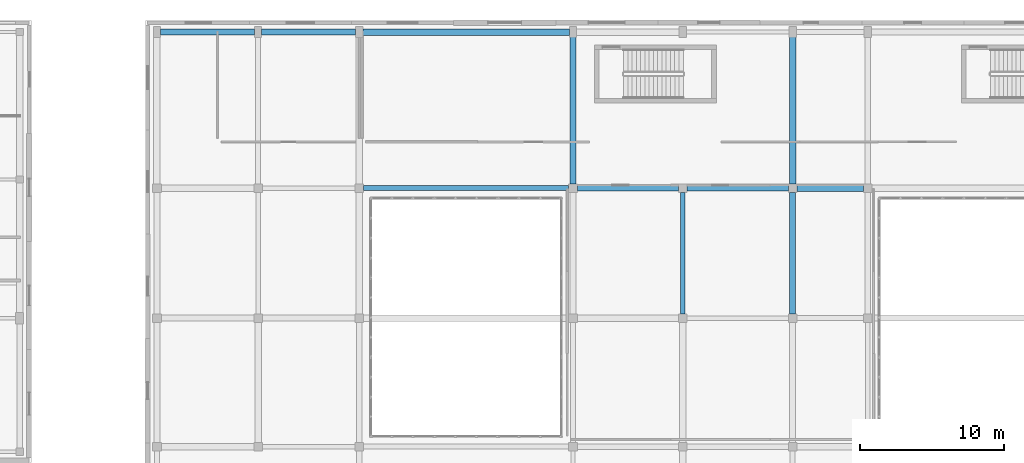
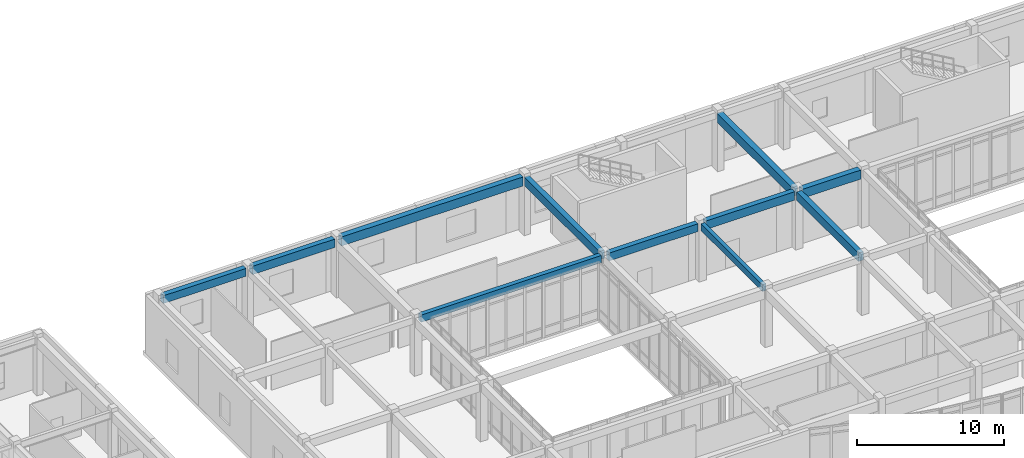
# One storey, part 69 of 121: 11 beams.
"""IFC4 building model written with IfcOpenShell, lengths in metres."""

from ifc_helpers import new_model, si_unit, direction, frame, origin, origin_2d, place, context, subcontext, project, spatial, rectangle, extrude, material, material_profile, profile_set, type_object, element, save


model = new_model("IFC4")

# Units and contexts
model_context = context("Model", 3, precision=1e-05, world=origin(), true_north=direction((0.0, 1.0)))
body_context = subcontext(model_context, "Body", "Model", "MODEL_VIEW")
ifc_project = project(units=[si_unit("LENGTHUNIT", "METRE"), si_unit("AREAUNIT", "SQUARE_METRE"), si_unit("VOLUMEUNIT", "CUBIC_METRE"), si_unit("PLANEANGLEUNIT", "RADIAN"), si_unit("MASSUNIT", "GRAM", prefix="KILO")], contexts=[model_context])

# Site, building, storey
site_placement = place(None, origin())
site = spatial("IfcSite", under=ifc_project, at=site_placement, CompositionType="ELEMENT")
building_placement = place(site_placement, origin())
building = spatial("IfcBuilding", under=site, at=building_placement, Name="Valcora Specialist Clinic", CompositionType="ELEMENT")
storey_placement = place(building_placement, origin())
storey = spatial("IfcBuildingStorey", under=building, at=storey_placement, Name="L00", CompositionType="ELEMENT", Elevation=0.0)

# Beams
ifc_material = material(Name="Concrete C40/50", Category="concrete")
ifc_material_profile_1 = material_profile(ifc_material, rectangle(XDim=0.300048828125, YDim=0.550048828125, at=origin_2d()), Name="RC-BM-300X550")
ifc_profile_set_1 = profile_set([ifc_material_profile_1], Name="Concrete C40/50")
beam_type_1 = type_object("IfcBeamType", Name="TY-BM-RC300X550", PredefinedType="BEAM", material=ifc_profile_set_1)
beam_1_placement = place(storey_placement, frame((98.39990234375, 90.5, 4.534912109375), z_axis=(0.0, 1.0, 0.0), x_axis=(-1.0, 0.0, 0.0)))
element("IfcBeam", 1, at=beam_1_placement, inside=storey, type_object=beam_type_1, Name="Beam BM-L00-0593", PredefinedType="BEAM", context=body_context, shape_type="SweptSolid", body=[
    extrude(rectangle(XDim=0.300048828125, YDim=0.550048828125, at=origin_2d()), origin(), (0.0, 0.0, 1.0), 8.39990234375),
])
ifc_material_profile_2 = material_profile(ifc_material, rectangle(XDim=0.35009765625, YDim=0.60009765625, at=origin_2d()), Name="RC-BM-350X600")
ifc_profile_set_2 = profile_set([ifc_material_profile_2], Name="Concrete C40/50")
beam_type_2 = type_object("IfcBeamType", Name="TY-BM-RC350X600", PredefinedType="BEAM", material=ifc_profile_set_2)
beam_2_placement = place(storey_placement, frame((76.300048828125, 99.199951171875, 4.510009765625), z_axis=(1.0, 0.0, 0.0), x_axis=(0.0, 1.0, 0.0)))
element("IfcBeam", 2, at=beam_2_placement, inside=storey, type_object=beam_type_2, Name="Beam BM-L00-0560", PredefinedType="BEAM", context=body_context, shape_type="SweptSolid", body=[
    extrude(rectangle(XDim=0.35009765625, YDim=0.60009765625, at=origin_2d()), origin(), (0.0, 0.0, 1.0), 14.199951171875),
])
ifc_material_profile_3 = material_profile(ifc_material, rectangle(XDim=0.39990234375, YDim=0.64990234375, at=origin_2d()), Name="RC-BM-400X650")
ifc_profile_set_3 = profile_set([ifc_material_profile_3], Name="Concrete C40/50")
beam_type_3 = type_object("IfcBeamType", Name="TY-BM-RC400X650", PredefinedType="BEAM", material=ifc_profile_set_3)
beam_3_placement = place(storey_placement, frame((91.10009765625, 99.199951171875, 4.485107421875), z_axis=(1.0, 0.0, 0.0), x_axis=(0.0, 1.0, 0.0)))
element("IfcBeam", 3, at=beam_3_placement, inside=storey, type_object=beam_type_3, Name="Beam BM-L00-0561", PredefinedType="BEAM", context=body_context, shape_type="SweptSolid", body=[
    extrude(rectangle(XDim=0.39990234375, YDim=0.64990234375, at=origin_2d()), origin(), (0.0, 0.0, 1.0), 7.0),
])
beam_4_placement = place(storey_placement, frame((62.25, 110.0, 4.485107421875), z_axis=(1.0, 0.0, 0.0), x_axis=(0.0, 1.0, 0.0)))
element("IfcBeam", 4, at=beam_4_placement, inside=storey, type_object=beam_type_3, Name="Beam BM-L00-0567", PredefinedType="BEAM", context=body_context, shape_type="SweptSolid", body=[
    extrude(rectangle(XDim=0.39990234375, YDim=0.64990234375, at=origin_2d()), origin(), (0.0, 0.0, 1.0), 6.5),
])
ifc_material_profile_4 = material_profile(ifc_material, rectangle(XDim=0.39990234375, YDim=0.699951171875, at=origin_2d()), Name="RC-BM-400X700")
ifc_profile_set_4 = profile_set([ifc_material_profile_4], Name="Concrete C40/50")
beam_type_4 = type_object("IfcBeamType", Name="TY-BM-RC400X700", PredefinedType="BEAM", material=ifc_profile_set_4)
beam_5_placement = place(storey_placement, frame((98.699951171875, 99.199951171875, 4.4599609375), z_axis=(1.0, 0.0, 0.0), x_axis=(0.0, 1.0, 0.0)))
element("IfcBeam", 5, at=beam_5_placement, inside=storey, type_object=beam_type_4, Name="Beam BM-L00-0562", PredefinedType="BEAM", context=body_context, shape_type="SweptSolid", body=[
    extrude(rectangle(XDim=0.39990234375, YDim=0.699951171875, at=origin_2d()), origin(), (0.0, 0.0, 1.0), 7.0),
])
beam_6_placement = place(storey_placement, frame((69.25, 110.0, 4.4599609375), z_axis=(1.0, 0.0, 0.0), x_axis=(0.0, 1.0, 0.0)))
element("IfcBeam", 6, at=beam_6_placement, inside=storey, type_object=beam_type_4, Name="Beam BM-L00-0568", PredefinedType="BEAM", context=body_context, shape_type="SweptSolid", body=[
    extrude(rectangle(XDim=0.39990234375, YDim=0.699951171875, at=origin_2d()), origin(), (0.0, 0.0, 1.0), 6.5),
])
beam_7_placement = place(storey_placement, frame((90.800048828125, 99.5, 4.4599609375), z_axis=(0.0, 1.0, 0.0), x_axis=(-1.0, 0.0, 0.0)))
element("IfcBeam", 7, at=beam_7_placement, inside=storey, type_object=beam_type_4, Name="Beam BM-L00-0590", PredefinedType="BEAM", context=body_context, shape_type="SweptSolid", body=[
    extrude(rectangle(XDim=0.39990234375, YDim=0.699951171875, at=origin_2d()), origin(), (0.0, 0.0, 1.0), 10.25),
])
beam_8_placement = place(storey_placement, frame((106.0, 90.5, 4.4599609375), z_axis=(0.0, 1.0, 0.0), x_axis=(-1.0, 0.0, 0.0)))
element("IfcBeam", 8, at=beam_8_placement, inside=storey, type_object=beam_type_4, Name="Beam BM-L00-0596", PredefinedType="BEAM", context=body_context, shape_type="SweptSolid", body=[
    extrude(rectangle(XDim=0.39990234375, YDim=0.699951171875, at=origin_2d()), origin(), (0.0, 0.0, 1.0), 8.39990234375),
])
ifc_material_profile_5 = material_profile(ifc_material, rectangle(XDim=0.449951171875, YDim=0.75, at=origin_2d()), Name="RC-BM-450X750")
ifc_profile_set_5 = profile_set([ifc_material_profile_5], Name="Concrete C40/50")
beam_type_5 = type_object("IfcBeamType", Name="TY-BM-RC450X750", PredefinedType="BEAM", material=ifc_profile_set_5)
beam_9_placement = place(storey_placement, frame((106.300048828125, 99.199951171875, 4.43505859375), z_axis=(1.0, 0.0, 0.0), x_axis=(0.0, 1.0, 0.0)))
element("IfcBeam", 9, at=beam_9_placement, inside=storey, type_object=beam_type_5, Name="Beam BM-L00-0563", PredefinedType="BEAM", context=body_context, shape_type="SweptSolid", body=[
    extrude(rectangle(XDim=0.449951171875, YDim=0.75, at=origin_2d()), origin(), (0.0, 0.0, 1.0), 4.599853515625),
])
beam_10_placement = place(storey_placement, frame((76.25, 110.0, 4.43505859375), z_axis=(1.0, 0.0, 0.0), x_axis=(0.0, 1.0, 0.0)))
element("IfcBeam", 10, at=beam_10_placement, inside=storey, type_object=beam_type_5, Name="Beam BM-L00-0569", PredefinedType="BEAM", context=body_context, shape_type="SweptSolid", body=[
    extrude(rectangle(XDim=0.449951171875, YDim=0.75, at=origin_2d()), origin(), (0.0, 0.0, 1.0), 14.300048828125),
])
beam_11_placement = place(storey_placement, frame((106.0, 99.5, 4.43505859375), z_axis=(0.0, 1.0, 0.0), x_axis=(-1.0, 0.0, 0.0)))
element("IfcBeam", 11, at=beam_11_placement, inside=storey, type_object=beam_type_5, Name="Beam BM-L00-0597", PredefinedType="BEAM", context=body_context, shape_type="SweptSolid", body=[
    extrude(rectangle(XDim=0.449951171875, YDim=0.75, at=origin_2d()), origin(), (0.0, 0.0, 1.0), 10.25),
])

save(model, "model.ifc")
